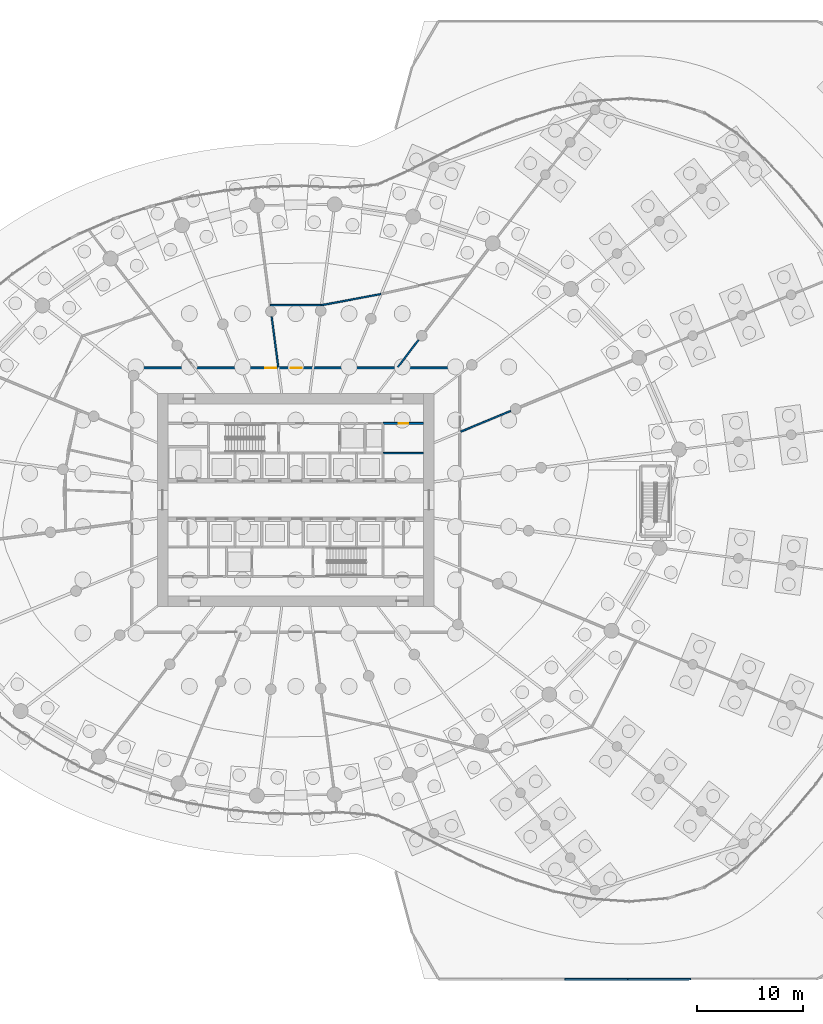
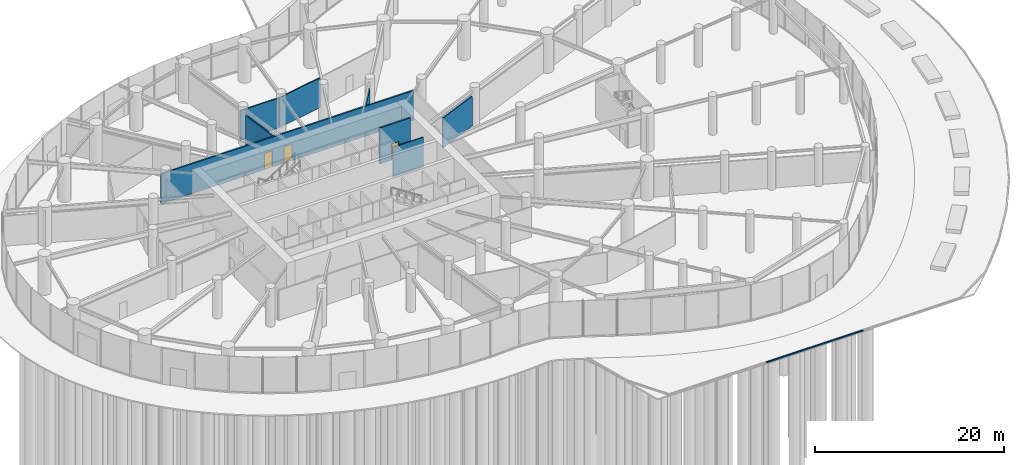
# One storey, part 21 of 28: 10 walls, 3 doors, 3 openings.
"""IFC4 building model written with IfcOpenShell, lengths in metres."""

from ifc_helpers import new_model, si_unit, direction, frame, frame_2d, origin, place, context, subcontext, project, spatial, rectangle, extrude, source, transform, mapped, material, layer, layer_set, type_object, element, fill, save


model = new_model("IFC4")

# Units and contexts
model_context = context("Model", 3, precision=1e-05, world=origin(), true_north=direction((0.0, 1.0)))
body_context = subcontext(model_context, "Body", "Model", "MODEL_VIEW")
ifc_project = project(units=[si_unit("LENGTHUNIT", "METRE"), si_unit("AREAUNIT", "SQUARE_METRE"), si_unit("VOLUMEUNIT", "CUBIC_METRE"), si_unit("PLANEANGLEUNIT", "RADIAN"), si_unit("MASSUNIT", "GRAM", prefix="KILO")], contexts=[model_context])

# Site, building, storey
site_placement = place(None, origin())
site = spatial("IfcSite", under=ifc_project, at=site_placement, CompositionType="ELEMENT")
building_placement = place(site_placement, origin())
building = spatial("IfcBuilding", under=site, at=building_placement, Name="Spindrift Exchange Tower", CompositionType="ELEMENT")
storey_placement = place(building_placement, origin())
storey = spatial("IfcBuildingStorey", under=building, at=storey_placement, Name="L00", CompositionType="ELEMENT", Elevation=0.0)

# Walls
ifc_material_1 = material(Name="Concrete 32 MPa precast kerb", Category="concrete")
ifc_layer_1 = layer(ifc_material_1, 0.14990234375)
ifc_layer_set_1 = layer_set([ifc_layer_1], Name="GARDEN KERB 150X150")
wall_type_1 = type_object("IfcWallType", Name="GARDEN KERB 150X150", PredefinedType="STANDARD", material=ifc_layer_set_1)
for number, where, z_axis, x_axis, name in (
    (1, (89.092041015625, 3.0, 0.0), (0.0, 0.0, 1.0), (-1.0, 0.0, 0.0), "L00 Garden Kerb 29"),
    (2, (83.17626953125, 3.0, 0.0), (0.0, 0.0, 1.0), (-1.0, 0.0, 0.0), "L00 Garden Kerb 30"),
):
    element("IfcWall", number, at=place(storey_placement, frame(where, z_axis=z_axis, x_axis=x_axis)), inside=storey, type_object=wall_type_1, Name=name, PredefinedType="STANDARD", context=body_context, shape_type="SweptSolid", body=[
        extrude(rectangle(XDim=5.915771484375, YDim=0.14990234375, at=frame_2d((2.9580078125, 0.0))), origin(), (0.0, 0.0, 1.0), 0.14990234375),
    ])

# Wall, opening, door
ifc_material_2 = material(Name="Fire-rated plasterboard partition", Category="gypsum")
ifc_layer_2 = layer(ifc_material_2, 0.179931640625)
ifc_layer_set_2 = layer_set([ifc_layer_2], Name="W-CORR-180")
wall_type_2 = type_object("IfcWallType", Name="W-CORR-180", PredefinedType="PARTITIONING", material=ifc_layer_set_2)
wall_1_placement = place(storey_placement, frame((63.97998046875, 55.199951171875, 0.0), z_axis=(0.0, 0.0, 1.0), x_axis=(-1.0, 0.0, 0.0)))
wall_1 = element("IfcWall", 3, at=wall_1_placement, inside=storey, type_object=wall_type_2, Name="L00 Partition wall 68", PredefinedType="PARTITIONING", context=body_context, shape_type="SweptSolid", body=[
    extrude(rectangle(XDim=3.75, YDim=0.179931640625, at=frame_2d((1.875, 0.0))), origin(), (0.0, 0.0, 1.0), 4.64990234375),
])
opening_1_placement = place(wall_1_placement, frame((1.39990234375, 0.0, 0.0)))
opening_1 = element("IfcOpeningElement", 4, at=opening_1_placement, cuts=wall_1, Name="Opening L00-D52", PredefinedType="OPENING", context=body_context, shape_type="SweptSolid", body=[
    extrude(rectangle(XDim=0.89990234375, YDim=2.10009765625, at=frame_2d((0.449951171875, 1.050048828125))), frame((0.0, 0.099853515625, 0.0), z_axis=(0.0, -1.0, 0.0), x_axis=(1.0, 0.0, 0.0)), (0.0, 0.0, 1.0), 0.199951171875),
])
ifc_material_3 = material(Name="Steel access door", Category="steel")
door_type_1 = type_object("IfcDoorType", Name="DR-RISER-900", OperationType="NOTDEFINED", PredefinedType="DOOR", material=ifc_material_3)
shared_shape_1 = source(origin(), body_context, "Body", "SweptSolid", [
    extrude(rectangle(XDim=0.89990234375, YDim=2.10009765625, at=frame_2d((0.449951171875, 1.050048828125))), frame((0.0, 0.02490234375, 0.0), z_axis=(0.0, -1.0, 0.0), x_axis=(1.0, 0.0, 0.0)), (0.0, 0.0, 1.0), 0.050048828125),
])
door_1_placement = place(opening_1_placement, origin())
door_1 = element("IfcDoor", 5, at=door_1_placement, inside=storey, type_object=door_type_1, Name="L00 Riser door 52", OperationType="SINGLE_SWING_LEFT", OverallHeight=2.10009765625, OverallWidth=0.89990234375, PredefinedType="DOOR", context=body_context, shape_type="MappedRepresentation", body=[
    mapped(shared_shape_1, transform((0.0, 0.0, 0.0), scale=1.0)),
])
fill(opening_1, door_1)

# Walls
ifc_layer_3 = layer(ifc_material_2, 0.139892578125)
ifc_layer_set_3 = layer_set([ifc_layer_3], Name="W-PART-140")
wall_type_3 = type_object("IfcWallType", Name="W-PART-140", PredefinedType="PARTITIONING", material=ifc_layer_set_3)
wall_2_placement = place(storey_placement, frame((67.489990234375, 54.416259765625, 0.0), z_axis=(0.0, 0.0, 1.0), x_axis=(0.923890025086, 0.382658100067, 0.0)))
element("IfcWall", 6, at=wall_2_placement, inside=storey, type_object=wall_type_3, Name="L00 Partition wall 93", PredefinedType="PARTITIONING", context=body_context, shape_type="SweptSolid", body=[
    extrude(rectangle(XDim=5.068359375, YDim=0.139892578125, at=frame_2d((2.5341796875, 0.0))), origin(), (0.0, 0.0, 1.0), 3.85009765625),
])
wall_3_placement = place(storey_placement, frame((63.97998046875, 52.39990234375, 0.0), z_axis=(0.0, 0.0, 1.0), x_axis=(-1.0, 0.0, 0.0)))
element("IfcWall", 7, at=wall_3_placement, inside=storey, type_object=wall_type_3, Name="L00 Partition wall 105", PredefinedType="PARTITIONING", context=body_context, shape_type="SweptSolid", body=[
    extrude(rectangle(XDim=3.75, YDim=0.139892578125, at=frame_2d((1.875, 0.0))), origin(), (0.0, 0.0, 1.0), 3.85009765625),
])
ifc_layer_4 = layer(ifc_material_2, 0.139892578125)
ifc_layer_set_4 = layer_set([ifc_layer_4], Name="W-PLANT-140")
wall_type_4 = type_object("IfcWallType", Name="W-PLANT-140", PredefinedType="PARTITIONING", material=ifc_layer_set_4)
wall_4_placement = place(storey_placement, frame((59.982421875, 67.336669921875, 0.0), z_axis=(0.0, 0.0, 1.0), x_axis=(-0.982948623255, -0.183880406899, 0.0)))
element("IfcWall", 8, at=wall_4_placement, inside=storey, type_object=wall_type_4, Name="L00 Partition wall 90", PredefinedType="PARTITIONING", context=body_context, shape_type="SweptSolid", body=[
    extrude(rectangle(XDim=5.670654296875, YDim=0.139892578125, at=frame_2d((2.83544921875, 0.0))), origin(), (0.0, 0.0, 1.0), 3.85009765625),
])
wall_5_placement = place(storey_placement, frame((50.355712890625, 60.489990234375, 0.0), z_axis=(0.0, 0.0, 1.0), x_axis=(-0.130548834981, 0.991441880135, 0.0)))
element("IfcWall", 9, at=wall_5_placement, inside=storey, type_object=wall_type_4, Name="L00 Partition wall 94", PredefinedType="PARTITIONING", context=body_context, shape_type="SweptSolid", body=[
    extrude(rectangle(XDim=4.75390625, YDim=0.139892578125, at=frame_2d((2.376953125, 0.0))), origin(), (0.0, 0.0, 1.0), 3.85009765625),
])
wall_6_placement = place(storey_placement, frame((54.37841796875, 66.2939453125, 0.0), z_axis=(0.0, 0.0, 1.0), x_axis=(-1.0, 0.0, 0.0)))
element("IfcWall", 10, at=wall_6_placement, inside=storey, type_object=wall_type_4, Name="L00 Partition wall 96", PredefinedType="PARTITIONING", context=body_context, shape_type="SweptSolid", body=[
    extrude(rectangle(XDim=4.7568359375, YDim=0.139892578125, at=frame_2d((2.37841796875, 0.0))), origin(), (0.0, 0.0, 1.0), 3.85009765625),
])
wall_7_placement = place(storey_placement, frame((63.528076171875, 63.023681640625, 0.0), z_axis=(0.0, 0.0, 1.0), x_axis=(-0.60874605662, -0.793365135703, 0.0)))
element("IfcWall", 11, at=wall_7_placement, inside=storey, type_object=wall_type_4, Name="L00 Partition wall 112", PredefinedType="PARTITIONING", context=body_context, shape_type="SweptSolid", body=[
    extrude(rectangle(XDim=3.193603515625, YDim=0.139892578125, at=frame_2d((1.5966796875, 0.0))), origin(), (0.0, 0.0, 1.0), 3.85009765625),
])

# Wall, openings, doors
ifc_layer_5 = layer(ifc_material_2, 0.179931640625)
ifc_layer_set_5 = layer_set([ifc_layer_5], Name="W-PLANT-180")
wall_type_5 = type_object("IfcWallType", Name="W-PLANT-180", PredefinedType="PARTITIONING", material=ifc_layer_set_5)
wall_8_placement = place(storey_placement, frame((36.60009765625, 60.39990234375, 0.0), z_axis=(0.0, 0.0, 1.0), x_axis=(1.0, 0.0, 0.0)))
wall_8 = element("IfcWall", 12, at=wall_8_placement, inside=storey, type_object=wall_type_5, Name="L00 Partition wall 62", PredefinedType="PARTITIONING", context=body_context, shape_type="SweptSolid", body=[
    extrude(rectangle(XDim=30.7998046875, YDim=0.179931640625, at=frame_2d((15.39990234375, 0.0))), origin(), (0.0, 0.0, 1.0), 3.85009765625),
])
opening_2_placement = place(wall_8_placement, frame((14.949951171875, 0.0, 0.0)))
opening_2 = element("IfcOpeningElement", 13, at=opening_2_placement, cuts=wall_8, Name="Opening L00-D32", PredefinedType="OPENING", context=body_context, shape_type="SweptSolid", body=[
    extrude(rectangle(XDim=1.0, YDim=2.10009765625, at=frame_2d((0.5, 1.050048828125))), frame((0.0, 0.099853515625, 0.0), z_axis=(0.0, -1.0, 0.0), x_axis=(1.0, 0.0, 0.0)), (0.0, 0.0, 1.0), 0.199951171875),
])
opening_3_placement = place(wall_8_placement, frame((12.550048828125, 0.0, 0.0)))
opening_3 = element("IfcOpeningElement", 14, at=opening_3_placement, cuts=wall_8, Name="Opening L00-D34", PredefinedType="OPENING", context=body_context, shape_type="SweptSolid", body=[
    extrude(rectangle(XDim=1.0, YDim=2.10009765625, at=frame_2d((0.5, 1.050048828125))), frame((0.0, 0.099853515625, 0.0), z_axis=(0.0, -1.0, 0.0), x_axis=(1.0, 0.0, 0.0)), (0.0, 0.0, 1.0), 0.199951171875),
])
ifc_material_4 = material(Name="Timber-core fire door", Category="wood")
door_type_2 = type_object("IfcDoorType", Name="DR-ROOM-1000", OperationType="NOTDEFINED", PredefinedType="DOOR", material=ifc_material_4)
shared_shape_2 = source(origin(), body_context, "Body", "SweptSolid", [
    extrude(rectangle(XDim=1.0, YDim=2.10009765625, at=frame_2d((0.5, 1.050048828125))), frame((0.0, 0.02490234375, 0.0), z_axis=(0.0, -1.0, 0.0), x_axis=(1.0, 0.0, 0.0)), (0.0, 0.0, 1.0), 0.050048828125),
])
door_2_placement = place(opening_2_placement, origin())
door_2 = element("IfcDoor", 15, at=door_2_placement, inside=storey, type_object=door_type_2, Name="L00 Door 32", OperationType="SINGLE_SWING_LEFT", OverallHeight=2.10009765625, OverallWidth=1.0, PredefinedType="DOOR", context=body_context, shape_type="MappedRepresentation", body=[
    mapped(shared_shape_2, transform((0.0, 0.0, 0.0), scale=1.0)),
])
fill(opening_2, door_2)
door_3_placement = place(opening_3_placement, origin())
door_3 = element("IfcDoor", 16, at=door_3_placement, inside=storey, type_object=door_type_2, Name="L00 Door 34", OperationType="SINGLE_SWING_LEFT", OverallHeight=2.10009765625, OverallWidth=1.0, PredefinedType="DOOR", context=body_context, shape_type="MappedRepresentation", body=[
    mapped(shared_shape_2, transform((0.0, 0.0, 0.0), scale=1.0)),
])
fill(opening_3, door_3)

save(model, "model.ifc")
